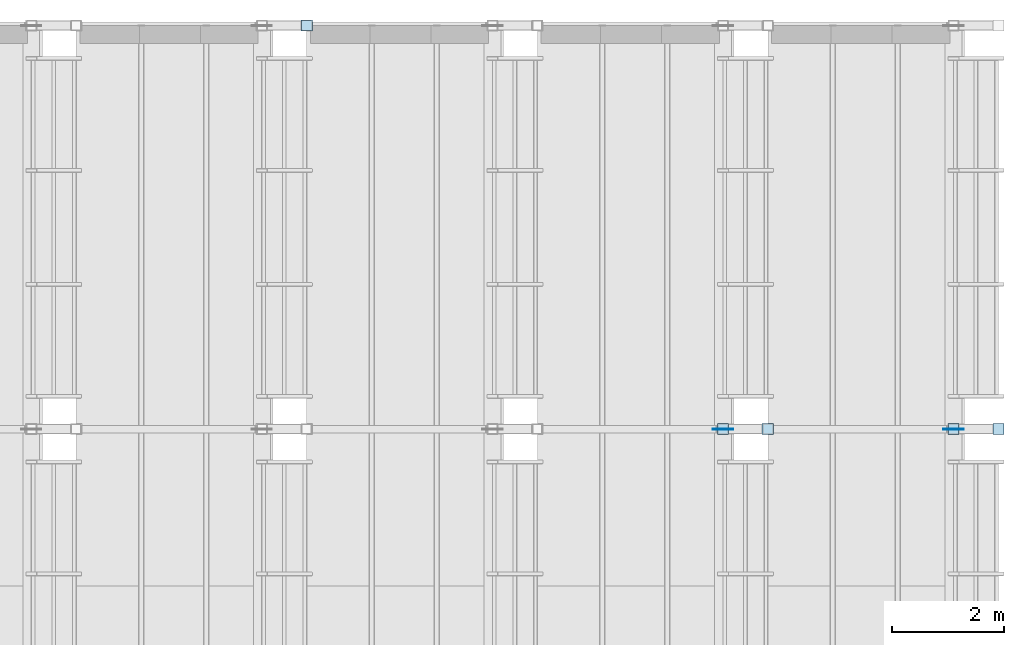
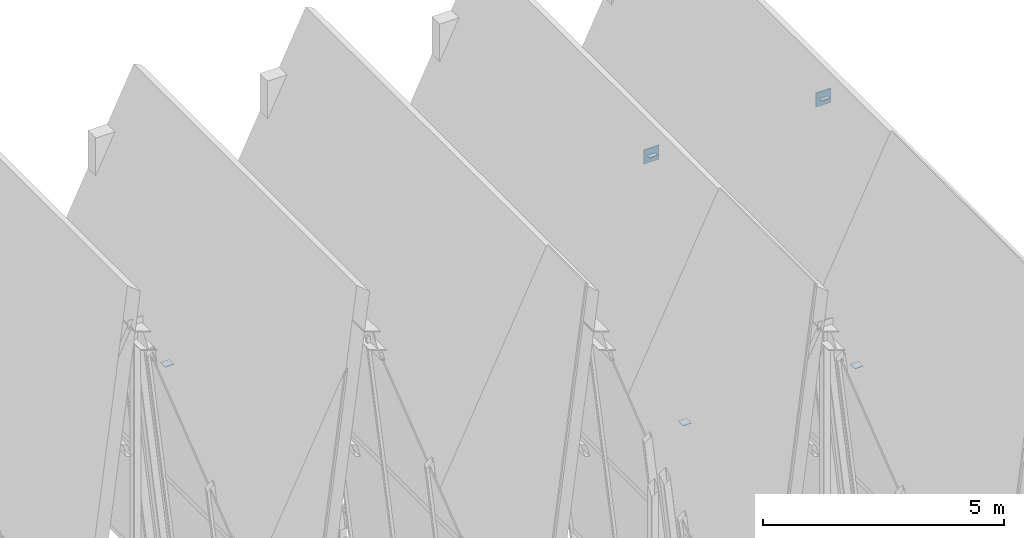
# One storey, part 26 of 28: 7 plates.
"""IFC4 building model written with IfcOpenShell, lengths in metres."""

from ifc_helpers import new_model, si_unit, direction, frame, origin, origin_2d, place, context, subcontext, project, spatial, rectangle, extrude, material, layer, layer_set, type_object, element, save


model = new_model("IFC4")

# Units and contexts
model_context = context("Model", 3, precision=1e-05, world=origin(), true_north=direction((0.0, 1.0)))
body_context = subcontext(model_context, "Body", "Model", "MODEL_VIEW")
ifc_project = project(units=[si_unit("LENGTHUNIT", "METRE"), si_unit("AREAUNIT", "SQUARE_METRE"), si_unit("VOLUMEUNIT", "CUBIC_METRE"), si_unit("PLANEANGLEUNIT", "RADIAN"), si_unit("MASSUNIT", "GRAM", prefix="KILO")], contexts=[model_context])

# Site, building, storey
site_placement = place(None, origin())
site = spatial("IfcSite", under=ifc_project, at=site_placement, CompositionType="ELEMENT")
building_placement = place(site_placement, origin())
building = spatial("IfcBuilding", under=site, at=building_placement, Name="Bramveld Media Centre", CompositionType="ELEMENT")
storey_placement = place(building_placement, frame((0.0, 0.0, 33.89990234375)))
storey = spatial("IfcBuildingStorey", under=building, at=storey_placement, Name="ROOF", CompositionType="ELEMENT", Elevation=33.89990234375)

# Plates
ifc_material_1 = material(Name="Steel S355J2", Category="steel")
ifc_layer_1 = layer(ifc_material_1, 0.013916015625)
ifc_layer_set_1 = layer_set([ifc_layer_1], Name="Steel S355J2")
plate_type_1 = type_object("IfcPlateType", Name="PLT-CAP-14", PredefinedType="USERDEFINED", material=ifc_layer_set_1)
for number, where, z_axis, x_axis, name in (
    (1, (147.657958984375, 112.0, -0.0498046875), (0.0, 0.0, -1.0), (1.0, 0.0, 0.0), "Hollow section end cap plate CAP-CRN-FR-B04-F5-R"),
    (2, (155.0849609375, 104.800048828125, 6.99462890625), (0.0, 0.0, 1.0), (1.0, 0.0, 0.0), "Hollow section end cap plate CAP-CRN-FR-B06-F4"),
    (3, (155.886474609375, 104.800048828125, -0.0498046875), (0.0, 0.0, -1.0), (1.0, 0.0, 0.0), "Hollow section end cap plate CAP-CRN-FR-B06-F4-R"),
    (4, (159.19921875, 104.800048828125, 6.99462890625), (0.0, 0.0, 1.0), (1.0, 0.0, 0.0), "Hollow section end cap plate CAP-CRN-FR-B07-F4"),
    (5, (160.000732421875, 104.800048828125, -0.0498046875), (0.0, 0.0, -1.0), (1.0, 0.0, 0.0), "Hollow section end cap plate CAP-CRN-FR-B07-F4-R"),
):
    element("IfcPlate", number, at=place(storey_placement, frame(where, z_axis=z_axis, x_axis=x_axis)), inside=storey, type_object=plate_type_1, Name=name, ObjectType="CAP PLATE", PredefinedType="USERDEFINED", context=body_context, shape_type="SweptSolid", body=[
        extrude(rectangle(XDim=0.199951171875, YDim=0.199951171875, at=origin_2d()), origin(), (0.0, 0.0, 1.0), 0.013916015625),
    ])
ifc_material_2 = material(Name="Steel S355J2", Category="steel")
ifc_layer_2 = layer(ifc_material_2, 0.01611328125)
ifc_layer_set_2 = layer_set([ifc_layer_2], Name="Steel S355J2")
plate_type_2 = type_object("IfcPlateType", Name="PLT-GUSSET-CRN16", PredefinedType="USERDEFINED", material=ifc_layer_set_2)
for number, where, z_axis, x_axis, name in (
    (6, (155.085693359375, 104.800048828125, 6.81494140625), (0.0, 0.0, 1.0), (1.0, 0.0, 0.0), "CRN-FR-B06-F4 ridge gusset plate"),
    (7, (159.199951171875, 104.800048828125, 6.81494140625), (0.0, 0.0, 1.0), (1.0, 0.0, 0.0), "CRN-FR-B07-F4 ridge gusset plate"),
):
    element("IfcPlate", number, at=place(storey_placement, frame(where, z_axis=z_axis, x_axis=x_axis)), inside=storey, type_object=plate_type_2, Name=name, ObjectType="GUSSET PLATE", PredefinedType="USERDEFINED", context=body_context, shape_type="SweptSolid", body=[
        extrude(rectangle(XDim=0.360107421875, YDim=0.01611328125, at=origin_2d()), origin(), (0.0, 0.0, 1.0), 0.360107421875),
    ])

save(model, "model.ifc")
